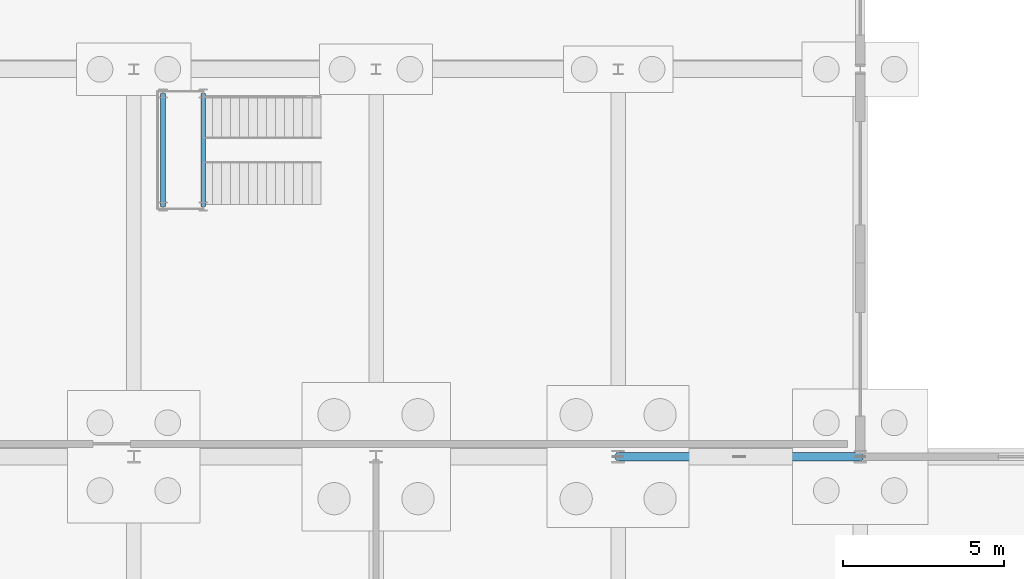
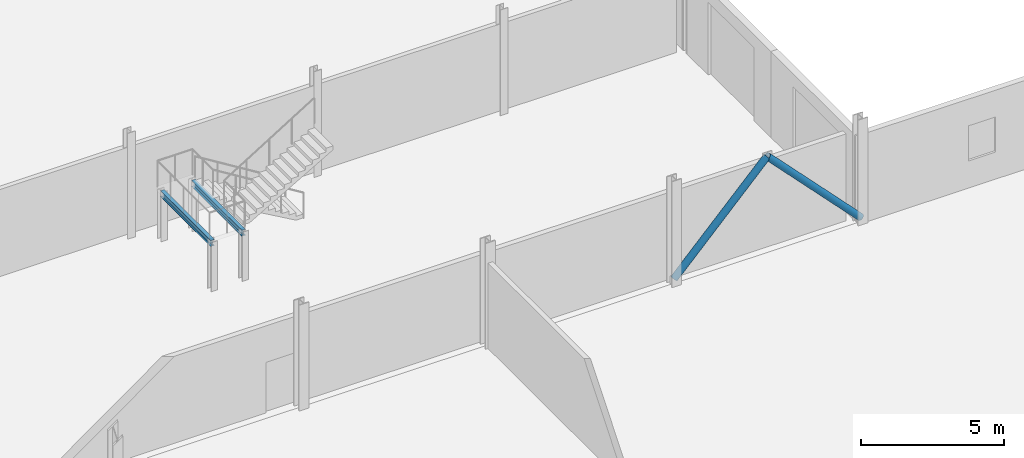
# One storey, part 78 of 136: 2 beams, 2 members.
"""IFC4 building model written with IfcOpenShell, lengths in metres."""

from ifc_helpers import new_model, si_unit, direction, frame, origin, origin_2d, place, context, subcontext, project, spatial, hollow_circle, i_section, extrude, material, material_profile, profile_set, type_object, element, save


model = new_model("IFC4")

# Units and contexts
model_context = context("Model", 3, precision=1e-05, world=origin(), true_north=direction((0.0, 1.0)))
body_context = subcontext(model_context, "Body", "Model", "MODEL_VIEW")
ifc_project = project(units=[si_unit("LENGTHUNIT", "METRE"), si_unit("AREAUNIT", "SQUARE_METRE"), si_unit("VOLUMEUNIT", "CUBIC_METRE"), si_unit("PLANEANGLEUNIT", "RADIAN"), si_unit("MASSUNIT", "GRAM", prefix="KILO")], contexts=[model_context])

# Site, building, storey
site_placement = place(None, origin())
site = spatial("IfcSite", under=ifc_project, at=site_placement, CompositionType="ELEMENT")
building_placement = place(site_placement, origin())
building = spatial("IfcBuilding", under=site, at=building_placement, Name="Solvenia Promenade Tram Depot", CompositionType="ELEMENT")
storey_placement = place(building_placement, origin())
storey = spatial("IfcBuildingStorey", under=building, at=storey_placement, Name="L00", CompositionType="ELEMENT", Elevation=0.0)

# Members
ifc_material_1 = material(Name="Structural steel ASTM A500 Gr. C", Category="steel")
ifc_material_profile_1 = material_profile(ifc_material_1, hollow_circle(Radius=0.136474609375, WallThickness=0.010009765625, at=origin_2d()), Name="CHS273.0x10", Category="steel")
ifc_profile_set_1 = profile_set([ifc_material_profile_1], Name="Structural steel ASTM A500 Gr. C")
member_type = type_object("IfcMemberType", Name="Brace-CHS273x10", PredefinedType="BRACE", material=ifc_profile_set_1)
for number, where, z_axis, x_axis, name in (
    (1, (142.5, 66.0, 0.199951171875), (0.693095189519, 0.0, 0.720846071131), (0.0, 1.0, 0.0), "PAC-DES Chevron Brace 02L"),
    (2, (150.0, 66.0, 0.199951171875), (-0.693095189519, 0.0, 0.720846071131), (0.0, -1.0, 0.0), "PAC-DES Chevron Brace 02R"),
):
    element("IfcMember", number, at=place(storey_placement, frame(where, z_axis=z_axis, x_axis=x_axis)), inside=storey, type_object=member_type, Name=name, PredefinedType="BRACE", context=body_context, shape_type="SweptSolid", body=[
        extrude(hollow_circle(Radius=0.136474609375, WallThickness=0.010009765625, at=origin_2d()), origin(), (0.0, 0.0, 1.0), 5.410400390625),
    ])

# Beams
ifc_material_2 = material(Name="Structural steel ASTM A992 Gr. 50", Category="steel")
ifc_material_profile_2 = material_profile(ifc_material_2, i_section(OverallWidth=0.14697265625, OverallDepth=0.261962890625, WebThickness=0.006591796875, FlangeThickness=0.01123046875, FilletRadius=0.010009765625, at=origin_2d()), Name="W250x39", Category="steel")
ifc_profile_set_2 = profile_set([ifc_material_profile_2], Name="Structural steel ASTM A992 Gr. 50")
beam_type = type_object("IfcBeamType", Name="Joist-W250x39", PredefinedType="JOIST", material=ifc_profile_set_2)
for number, where, z_axis, x_axis, name in (
    (3, (128.39990234375, 73.75, 1.9541015625), (0.0, 1.0, 0.0), (-1.0, 0.0, 0.0), "Gallery Landing Bearer 2A BM-L00-0963"),
    (4, (129.64990234375, 73.75, 1.9541015625), (0.0, 1.0, 0.0), (-1.0, 0.0, 0.0), "Gallery Landing Bearer 2B BM-L00-0964"),
):
    element("IfcBeam", number, at=place(storey_placement, frame(where, z_axis=z_axis, x_axis=x_axis)), inside=storey, type_object=beam_type, Name=name, PredefinedType="JOIST", context=body_context, shape_type="SweptSolid", body=[
        extrude(i_section(OverallWidth=0.14697265625, OverallDepth=0.261962890625, WebThickness=0.006591796875, FlangeThickness=0.01123046875, FilletRadius=0.010009765625, at=origin_2d()), origin(), (0.0, 0.0, 1.0), 3.5),
    ])

save(model, "model.ifc")
